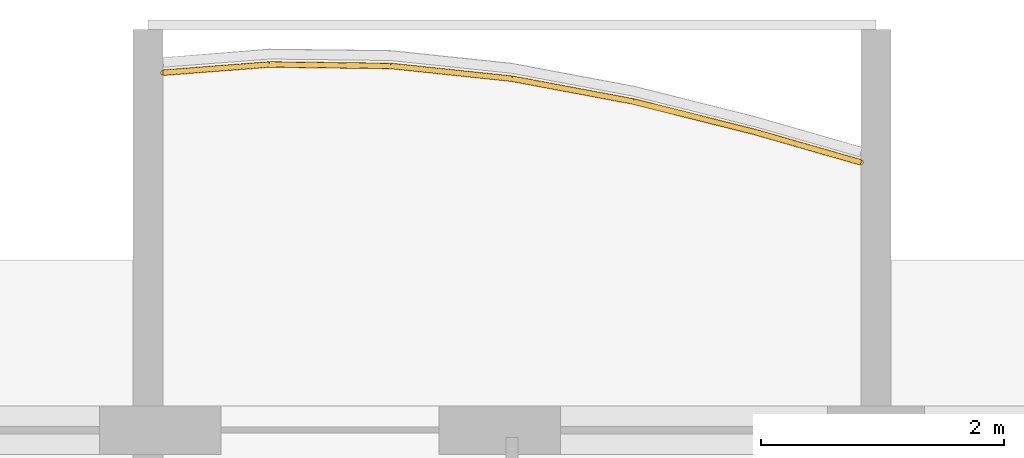
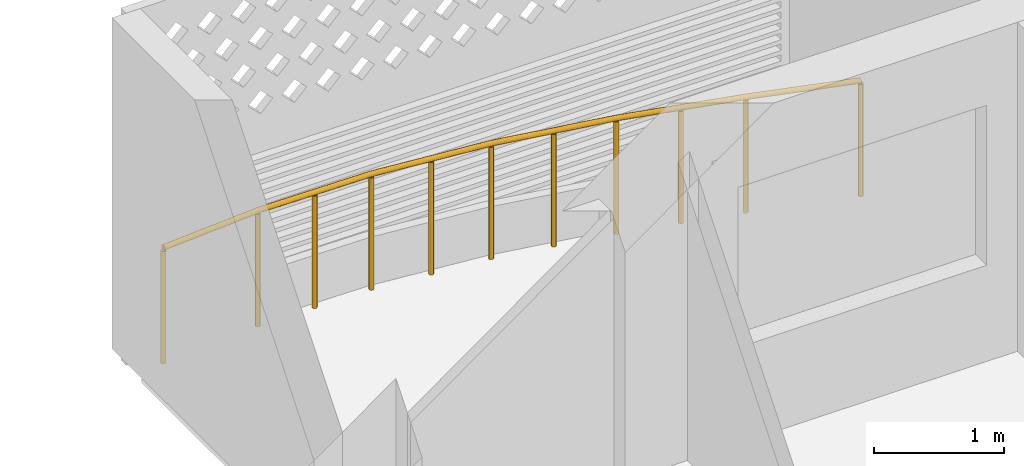
# One storey, part 17 of 26: 1 railing.
"""IFC4 building model written with IfcOpenShell, lengths in metres."""

from ifc_helpers import new_model, si_unit, direction, frame, origin, origin_2d, place, context, subcontext, project, spatial, circle, extrude, material, type_object, element, save


model = new_model("IFC4")

# Units and contexts
model_context = context("Model", 3, precision=1e-05, world=origin(), true_north=direction((0.0, 1.0)))
body_context = subcontext(model_context, "Body", "Model", "MODEL_VIEW")
ifc_project = project(units=[si_unit("LENGTHUNIT", "METRE"), si_unit("AREAUNIT", "SQUARE_METRE"), si_unit("VOLUMEUNIT", "CUBIC_METRE"), si_unit("PLANEANGLEUNIT", "RADIAN"), si_unit("MASSUNIT", "GRAM", prefix="KILO")], contexts=[model_context])

# Site, building, storey
site_placement = place(None, origin())
site = spatial("IfcSite", under=ifc_project, at=site_placement, CompositionType="ELEMENT")
building_placement = place(site_placement, origin())
building = spatial("IfcBuilding", under=site, at=building_placement, Name="Poui Terraces", CompositionType="ELEMENT")
storey_placement = place(building_placement, frame((0.0, 0.0, 171.89990234375)))
storey = spatial("IfcBuildingStorey", under=building, at=storey_placement, Name="L47", CompositionType="ELEMENT", Elevation=171.89990234375)

# Railing
ifc_material = material(Name="Painted steel fretwork", Category="steel")
railing_type = type_object("IfcRailingType", Name="BALCONY GUARD 1100", PredefinedType="GUARDRAIL", material=ifc_material)
railing_placement = place(storey_placement, frame((36.125, 44.14599609375, 0.0)))
element("IfcRailing", 1, at=railing_placement, inside=storey, type_object=railing_type, Name="BALCONY GUARD", PredefinedType="GUARDRAIL", context=body_context, shape_type="SweptSolid", body=[
    extrude(circle(Radius=0.02392578125, at=origin_2d()), frame((0.0, 0.0, 1.076171875), z_axis=(0.997047936125, 0.076781593295, 0.0), x_axis=(-0.076781593295, 0.997047936125, 0.0)), (0.0, 0.0, 1.0), 0.877685546875),
    extrude(circle(Radius=0.02392578125, at=origin_2d()), frame((0.875, 0.0673828125, 1.076171875), z_axis=(0.999928452303, -0.011962034708, 0.0), x_axis=(0.011962034708, 0.999928452303, 0.0)), (0.0, 0.0, 1.0), 1.0),
    extrude(circle(Radius=0.02392578125, at=origin_2d()), frame((1.875, 0.055419921875, 1.076171875), z_axis=(0.994509443434, -0.104646867705, 0.0), x_axis=(0.104646867705, 0.994509443434, 0.0)), (0.0, 0.0, 1.0), 1.005615234375),
    extrude(circle(Radius=0.02392578125, at=origin_2d()), frame((2.875, -0.0498046875, 1.076171875), z_axis=(0.982828697247, -0.184520329146, 0.0), x_axis=(0.184520329146, 0.982828697247, 0.0)), (0.0, 0.0, 1.0), 1.017578125),
    extrude(circle(Radius=0.02392578125, at=origin_2d()), frame((3.875, -0.237548828125, 1.076171875), z_axis=(0.969975109493, -0.243204208362, 0.0), x_axis=(0.243204208362, 0.969975109493, 0.0)), (0.0, 0.0, 1.0), 1.031005859375),
    extrude(circle(Radius=0.02392578125, at=origin_2d()), frame((4.875, -0.48828125, 1.076171875), z_axis=(0.961168944086, -0.275960614806, 0.0), x_axis=(0.275960614806, 0.961168944086, 0.0)), (0.0, 0.0, 1.0), 0.910400390625),
    extrude(circle(Radius=0.02099609375, at=origin_2d()), origin(), (0.0, 0.0, 1.0), 1.052001953125),
    extrude(circle(Radius=0.02099609375, at=origin_2d()), frame((0.875, 0.0673828125, 0.0)), (0.0, 0.0, 1.0), 1.052001953125),
    extrude(circle(Radius=0.02099609375, at=origin_2d()), frame((1.375, 0.0615234375, 0.0)), (0.0, 0.0, 1.0), 1.052001953125),
    extrude(circle(Radius=0.02099609375, at=origin_2d()), frame((1.875, 0.055419921875, 0.0)), (0.0, 0.0, 1.0), 1.052001953125),
    extrude(circle(Radius=0.02099609375, at=origin_2d()), frame((2.375, 0.0029296875, 0.0)), (0.0, 0.0, 1.0), 1.052001953125),
    extrude(circle(Radius=0.02099609375, at=origin_2d()), frame((2.875, -0.0498046875, 0.0)), (0.0, 0.0, 1.0), 1.052001953125),
    extrude(circle(Radius=0.02099609375, at=origin_2d()), frame((3.375, -0.1435546875, 0.0)), (0.0, 0.0, 1.0), 1.052001953125),
    extrude(circle(Radius=0.02099609375, at=origin_2d()), frame((3.875, -0.237548828125, 0.0)), (0.0, 0.0, 1.0), 1.052001953125),
    extrude(circle(Radius=0.02099609375, at=origin_2d()), frame((4.375, -0.36279296875, 0.0)), (0.0, 0.0, 1.0), 1.052001953125),
    extrude(circle(Radius=0.02099609375, at=origin_2d()), frame((4.875, -0.48828125, 0.0)), (0.0, 0.0, 1.0), 1.052001953125),
    extrude(circle(Radius=0.02099609375, at=origin_2d()), frame((5.75, -0.739501953125, 0.0)), (0.0, 0.0, 1.0), 1.052001953125),
])

save(model, "model.ifc")
